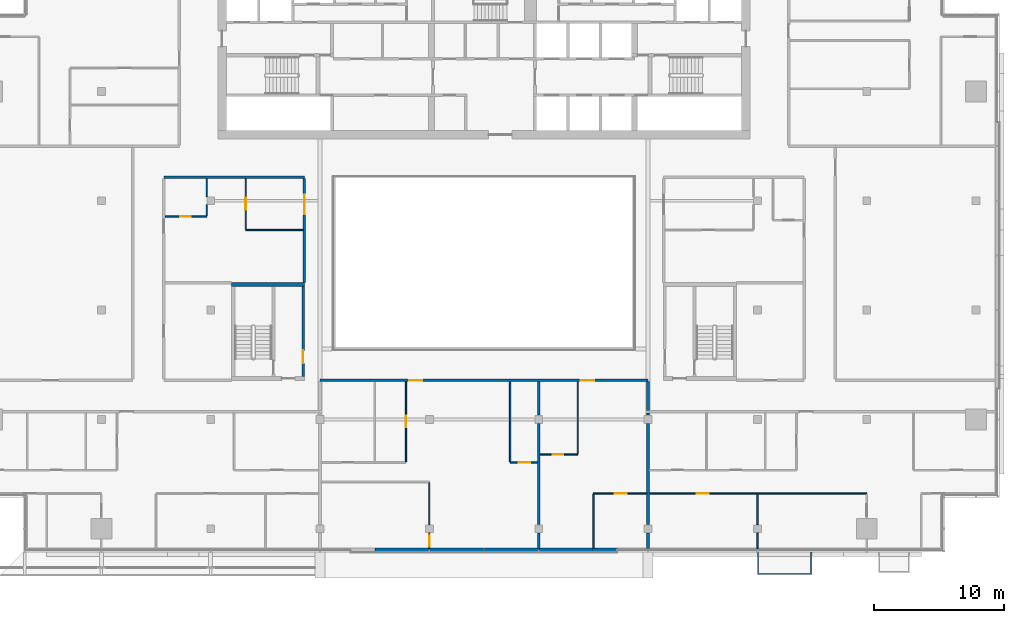
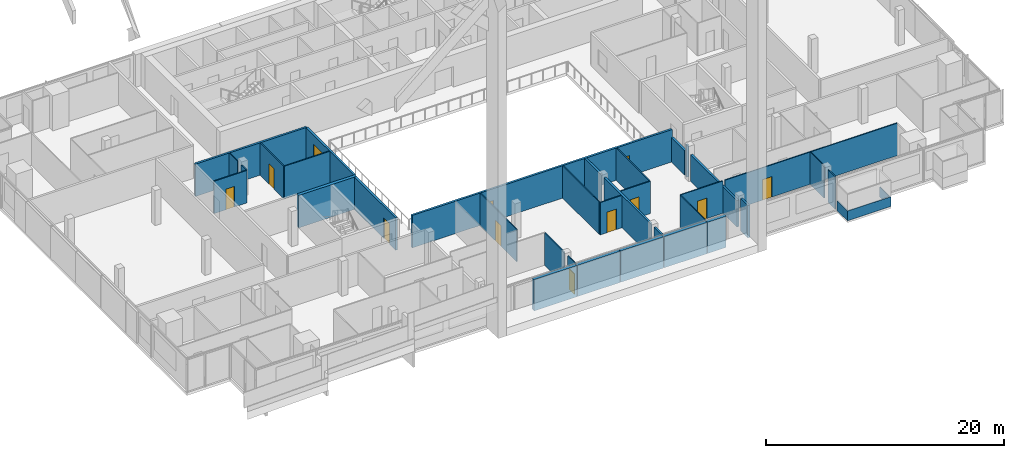
# One storey, part 20 of 31: 35 walls, 11 doors, 1 window, 12 openings.
"""IFC4 building model written with IfcOpenShell, lengths in metres."""

from ifc_helpers import new_model, si_unit, direction, frame, frame_2d, origin, place, context, subcontext, project, spatial, polyline, rectangle, outline, extrude, material, layer, layer_set, type_object, element, fill, save


model = new_model("IFC4")

# Units and contexts
model_context = context("Model", 3, precision=1e-05, world=origin(), true_north=direction((0.0, 1.0)))
body_context = subcontext(model_context, "Body", "Model", "MODEL_VIEW")
ifc_project = project(units=[si_unit("LENGTHUNIT", "METRE"), si_unit("AREAUNIT", "SQUARE_METRE"), si_unit("VOLUMEUNIT", "CUBIC_METRE"), si_unit("PLANEANGLEUNIT", "RADIAN"), si_unit("MASSUNIT", "GRAM", prefix="KILO")], contexts=[model_context])

# Site, building, storey
site_placement = place(None, origin())
site = spatial("IfcSite", under=ifc_project, at=site_placement, CompositionType="ELEMENT")
building_placement = place(site_placement, origin())
building = spatial("IfcBuilding", under=site, at=building_placement, Name="Saffron Gate Tower", CompositionType="ELEMENT")
storey_placement = place(building_placement, frame((0.0, 0.0, 205.5)))
storey = spatial("IfcBuildingStorey", under=building, at=storey_placement, Name="L49", CompositionType="ELEMENT", Elevation=205.5)

# Wall, opening, door
ifc_material_1 = material(Name="Gypsum board partition on steel studs", Category="steel")
ifc_layer_1 = layer(ifc_material_1, 0.199951171875)
ifc_layer_set_1 = layer_set([ifc_layer_1], Name="CW10 Core partition 200")
wall_type_1 = type_object("IfcWallType", Name="CW10 Core partition 200", PredefinedType="PARTITIONING", material=ifc_layer_set_1)
wall_1_placement = place(storey_placement, frame((73.699951171875, 43.5, 0.0), z_axis=(0.0, 0.0, 1.0), x_axis=(0.0, 1.0, 0.0)))
wall_1 = element("IfcWall", 1, at=wall_1_placement, inside=storey, type_object=wall_type_1, Name="Wall CW10-L49-D-4", PredefinedType="PARTITIONING", context=body_context, shape_type="SweptSolid", body=[
    extrude(rectangle(XDim=6.89990234375, YDim=0.199951171875, at=frame_2d((3.449951171875, 0.0))), origin(), (0.0, 0.0, 1.0), 3.320068359375),
])
opening_1_placement = place(wall_1_placement, frame((1.0, 0.0, 0.0)))
opening_1 = element("IfcOpeningElement", 2, at=opening_1_placement, cuts=wall_1, Name="Opening CR-19", PredefinedType="OPENING", context=body_context, shape_type="SweptSolid", body=[
    extrude(rectangle(XDim=1.0, YDim=2.10009765625, at=frame_2d((0.5, 1.050048828125))), frame((0.0, 0.10986328125, 0.0), z_axis=(0.0, -1.0, 0.0), x_axis=(1.0, 0.0, 0.0)), (0.0, 0.0, 1.0), 0.219970703125),
])
ifc_material_2 = material(Name="Steel fire door set", Category="steel")
door_type_1 = type_object("IfcDoorType", Name="CD4 Lobby door 1000x2100 EI 120", OperationType="NOTDEFINED", PredefinedType="DOOR", material=ifc_material_2)
door_1_placement = place(opening_1_placement, origin())
door_1 = element("IfcDoor", 3, at=door_1_placement, inside=storey, type_object=door_type_1, Name="DOOR CR-19", OperationType="SINGLE_SWING_RIGHT", OverallHeight=2.10009765625, OverallWidth=1.0, PredefinedType="DOOR", context=body_context, shape_type="SweptSolid", body=[
    extrude(rectangle(XDim=1.0, YDim=2.10009765625, at=frame_2d((0.5, 1.050048828125))), frame((0.0, 0.02490234375, 0.0), z_axis=(0.0, -1.0, 0.0), x_axis=(1.0, 0.0, 0.0)), (0.0, 0.0, 1.0), 0.050048828125),
])
fill(opening_1, door_1)

# Wall
ifc_material_3 = material(Name="Concrete C60", Category="concrete")
ifc_layer_2 = layer(ifc_material_3, 0.300048828125)
ifc_layer_set_2 = layer_set([ifc_layer_2], Name="CW17 RC core wall 300 C60")
wall_type_2 = type_object("IfcWallType", Name="CW17 RC core wall 300 C60", PredefinedType="SOLIDWALL", material=ifc_layer_set_2)
wall_2_placement = place(storey_placement, frame((68.199951171875, 50.550048828125, 0.0), z_axis=(0.0, 0.0, 1.0), x_axis=(1.0, 0.0, 0.0)))
element("IfcWall", 4, at=wall_2_placement, inside=storey, type_object=wall_type_2, Name="Wall CW17-L49-D-5", PredefinedType="SOLIDWALL", context=body_context, shape_type="SweptSolid", body=[
    extrude(rectangle(XDim=5.60009765625, YDim=0.300048828125, at=frame_2d((2.800048828125, 0.0))), origin(), (0.0, 0.0, 1.0), 3.320068359375),
])

# Wall, opening, door
ifc_material_4 = material(Name="Plasterboard on steel studs", Category="steel")
ifc_layer_3 = layer(ifc_material_4, 0.10009765625)
ifc_layer_set_3 = layer_set([ifc_layer_3], Name="PW1 Partition 100")
wall_type_3 = type_object("IfcWallType", Name="PW1 Partition 100", PredefinedType="PARTITIONING", material=ifc_layer_set_3)
wall_3_placement = place(storey_placement, frame((89.60791015625, 36.89990234375, 0.0), z_axis=(0.0, 0.0, 1.0), x_axis=(1.0, 0.0, 0.0)))
wall_3 = element("IfcWall", 5, at=wall_3_placement, inside=storey, type_object=wall_type_3, Name="Partition D1-10", PredefinedType="PARTITIONING", context=body_context, shape_type="SweptSolid", body=[
    extrude(rectangle(XDim=2.092041015625, YDim=0.10009765625, at=frame_2d((1.0458984375, 0.0))), origin(), (0.0, 0.0, 1.0), 3.320068359375),
])
opening_2_placement = place(wall_3_placement, frame((0.64599609375, 0.0, 0.0)))
opening_2 = element("IfcOpeningElement", 6, at=opening_2_placement, cuts=wall_3, Name="Opening D1-16", PredefinedType="OPENING", context=body_context, shape_type="SweptSolid", body=[
    extrude(rectangle(XDim=0.89990234375, YDim=2.10009765625, at=frame_2d((0.449951171875, 1.050048828125))), frame((0.0, 0.06005859375, 0.0), z_axis=(0.0, -1.0, 0.0), x_axis=(1.0, 0.0, 0.0)), (0.0, 0.0, 1.0), 0.1201171875),
])
ifc_material_5 = material(Name="Timber door set", Category="wood")
door_type_2 = type_object("IfcDoorType", Name="RD1 Room door 900x2100", OperationType="NOTDEFINED", PredefinedType="DOOR", material=ifc_material_5)
door_2_placement = place(opening_2_placement, origin())
door_2 = element("IfcDoor", 7, at=door_2_placement, inside=storey, type_object=door_type_2, Name="Door D1-16", OperationType="SINGLE_SWING_RIGHT", OverallHeight=2.10009765625, OverallWidth=0.89990234375, PredefinedType="DOOR", context=body_context, shape_type="SweptSolid", body=[
    extrude(rectangle(XDim=0.89990234375, YDim=2.10009765625, at=frame_2d((0.449951171875, 1.050048828125))), frame((0.0, 0.02490234375, 0.0), z_axis=(0.0, -1.0, 0.0), x_axis=(1.0, 0.0, 0.0)), (0.0, 0.0, 1.0), 0.050048828125),
])
fill(opening_2, door_2)

wall_4_placement = place(storey_placement, frame((91.89990234375, 37.5, 0.0), z_axis=(0.0, 0.0, 1.0), x_axis=(1.0, 0.0, 0.0)))
wall_4 = element("IfcWall", 8, at=wall_4_placement, inside=storey, type_object=wall_type_3, Name="Partition D1-11", PredefinedType="PARTITIONING", context=body_context, shape_type="SweptSolid", body=[
    extrude(rectangle(XDim=2.900146484375, YDim=0.10009765625, at=frame_2d((1.4501953125, 0.0))), origin(), (0.0, 0.0, 1.0), 3.320068359375),
])
opening_3_placement = place(wall_4_placement, frame((1.0, 0.0, 0.0)))
opening_3 = element("IfcOpeningElement", 9, at=opening_3_placement, cuts=wall_4, Name="Opening D1-35", PredefinedType="OPENING", context=body_context, shape_type="SweptSolid", body=[
    extrude(rectangle(XDim=0.800048828125, YDim=2.10009765625, at=frame_2d((0.39990234375, 1.050048828125))), frame((0.0, 0.06005859375, 0.0), z_axis=(0.0, -1.0, 0.0), x_axis=(1.0, 0.0, 0.0)), (0.0, 0.0, 1.0), 0.1201171875),
])
door_type_3 = type_object("IfcDoorType", Name="RD2 Bathroom door 800x2100", OperationType="NOTDEFINED", PredefinedType="DOOR", material=ifc_material_5)
door_3_placement = place(opening_3_placement, origin())
door_3 = element("IfcDoor", 10, at=door_3_placement, inside=storey, type_object=door_type_3, Name="Door D1-35", OperationType="SINGLE_SWING_LEFT", OverallHeight=2.10009765625, OverallWidth=0.800048828125, PredefinedType="DOOR", context=body_context, shape_type="SweptSolid", body=[
    extrude(rectangle(XDim=0.800048828125, YDim=2.10009765625, at=frame_2d((0.39990234375, 1.050048828125))), frame((0.0, 0.02490234375, 0.0), z_axis=(0.0, -1.0, 0.0), x_axis=(1.0, 0.0, 0.0)), (0.0, 0.0, 1.0), 0.050048828125),
])
fill(opening_3, door_3)

# Wall
wall_5_placement = place(storey_placement, frame((69.300048828125, 54.75, 0.0), z_axis=(0.0, 0.0, 1.0), x_axis=(1.0, 0.0, 0.0)))
element("IfcWall", 11, at=wall_5_placement, inside=storey, type_object=wall_type_3, Name="Partition D1-23", PredefinedType="PARTITIONING", context=body_context, shape_type="SweptSolid", body=[
    extrude(rectangle(XDim=4.39990234375, YDim=0.10009765625, at=frame_2d((2.199951171875, 0.0))), origin(), (0.0, 0.0, 1.0), 3.320068359375),
])

# Wall, opening, door
wall_6_placement = place(storey_placement, frame((63.10009765625, 55.800048828125, 0.0), z_axis=(0.0, 0.0, 1.0), x_axis=(1.0, 0.0, 0.0)))
wall_6 = element("IfcWall", 12, at=wall_6_placement, inside=storey, type_object=wall_type_3, Name="Partition D1-26", PredefinedType="PARTITIONING", context=body_context, shape_type="SweptSolid", body=[
    extrude(rectangle(XDim=3.199951171875, YDim=0.10009765625, at=frame_2d((1.60009765625, 0.0))), origin(), (0.0, 0.0, 1.0), 3.320068359375),
])
opening_4_placement = place(wall_6_placement, frame((1.14990234375, 0.0, 0.0)))
opening_4 = element("IfcOpeningElement", 13, at=opening_4_placement, cuts=wall_6, Name="Opening D1-40", PredefinedType="OPENING", context=body_context, shape_type="SweptSolid", body=[
    extrude(rectangle(XDim=0.800048828125, YDim=2.10009765625, at=frame_2d((0.39990234375, 1.050048828125))), frame((0.0, 0.06005859375, 0.0), z_axis=(0.0, -1.0, 0.0), x_axis=(1.0, 0.0, 0.0)), (0.0, 0.0, 1.0), 0.1201171875),
])
door_4_placement = place(opening_4_placement, origin())
door_4 = element("IfcDoor", 14, at=door_4_placement, inside=storey, type_object=door_type_3, Name="Door D1-40", OperationType="SINGLE_SWING_LEFT", OverallHeight=2.10009765625, OverallWidth=0.800048828125, PredefinedType="DOOR", context=body_context, shape_type="SweptSolid", body=[
    extrude(rectangle(XDim=0.800048828125, YDim=2.10009765625, at=frame_2d((0.39990234375, 1.050048828125))), frame((0.0, 0.02490234375, 0.0), z_axis=(0.0, -1.0, 0.0), x_axis=(1.0, 0.0, 0.0)), (0.0, 0.0, 1.0), 0.050048828125),
])
fill(opening_4, door_4)

# Walls
wall_7_placement = place(storey_placement, frame((66.300048828125, 56.679931640625, 0.0), z_axis=(0.0, 0.0, 1.0), x_axis=(0.0, -1.0, 0.0)))
element("IfcWall", 15, at=wall_7_placement, inside=storey, type_object=wall_type_3, Name="Partition D1-58", PredefinedType="PARTITIONING", context=body_context, shape_type="SweptSolid", body=[
    extrude(rectangle(XDim=0.829833984375, YDim=0.10009765625, at=frame_2d((0.4150390625, 0.0))), origin(), (0.0, 0.0, 1.0), 3.320068359375),
])
wall_8_placement = place(storey_placement, frame((66.300048828125, 58.699951171875, 0.0), z_axis=(0.0, 0.0, 1.0), x_axis=(0.0, -1.0, 0.0)))
element("IfcWall", 16, at=wall_8_placement, inside=storey, type_object=wall_type_3, Name="Partition D1-59", PredefinedType="PARTITIONING", context=body_context, shape_type="SweptSolid", body=[
    extrude(rectangle(XDim=1.3798828125, YDim=0.10009765625, at=frame_2d((0.68994140625, 0.0))), origin(), (0.0, 0.0, 1.0), 3.320068359375),
])

# Wall, opening, door
wall_9_placement = place(storey_placement, frame((69.300048828125, 58.699951171875, 0.0), z_axis=(0.0, 0.0, 1.0), x_axis=(0.0, -1.0, 0.0)))
wall_9 = element("IfcWall", 17, at=wall_9_placement, inside=storey, type_object=wall_type_3, Name="Partition D1-61", PredefinedType="PARTITIONING", context=body_context, shape_type="SweptSolid", body=[
    extrude(rectangle(XDim=3.89990234375, YDim=0.10009765625, at=frame_2d((1.949951171875, 0.0))), origin(), (0.0, 0.0, 1.0), 3.320068359375),
])
opening_5_placement = place(wall_9_placement, frame((1.47509765625, 0.0, 0.0)))
opening_5 = element("IfcOpeningElement", 18, at=opening_5_placement, cuts=wall_9, Name="Opening D1-30", PredefinedType="OPENING", context=body_context, shape_type="SweptSolid", body=[
    extrude(rectangle(XDim=0.89990234375, YDim=2.10009765625, at=frame_2d((0.449951171875, 1.050048828125))), frame((0.0, 0.06005859375, 0.0), z_axis=(0.0, -1.0, 0.0), x_axis=(1.0, 0.0, 0.0)), (0.0, 0.0, 1.0), 0.1201171875),
])
door_5_placement = place(opening_5_placement, origin())
door_5 = element("IfcDoor", 19, at=door_5_placement, inside=storey, type_object=door_type_2, Name="Door D1-30", OperationType="SINGLE_SWING_LEFT", OverallHeight=2.10009765625, OverallWidth=0.89990234375, PredefinedType="DOOR", context=body_context, shape_type="SweptSolid", body=[
    extrude(rectangle(XDim=0.89990234375, YDim=2.10009765625, at=frame_2d((0.449951171875, 1.050048828125))), frame((0.0, 0.02490234375, 0.0), z_axis=(0.0, -1.0, 0.0), x_axis=(1.0, 0.0, 0.0)), (0.0, 0.0, 1.0), 0.050048828125),
])
fill(opening_5, door_5)

wall_10_placement = place(storey_placement, frame((81.60009765625, 36.949951171875, 0.0), z_axis=(0.0, 0.0, 1.0), x_axis=(0.0, 1.0, 0.0)))
wall_10 = element("IfcWall", 20, at=wall_10_placement, inside=storey, type_object=wall_type_3, Name="Partition D1-69", PredefinedType="PARTITIONING", context=body_context, shape_type="SweptSolid", body=[
    extrude(rectangle(XDim=6.150146484375, YDim=0.10009765625, at=frame_2d((3.0751953125, 0.0))), origin(), (0.0, 0.0, 1.0), 3.320068359375),
])
opening_6_placement = place(wall_10_placement, frame((2.64990234375, 0.0, 0.0)))
opening_6 = element("IfcOpeningElement", 21, at=opening_6_placement, cuts=wall_10, Name="Opening D1-17", PredefinedType="OPENING", context=body_context, shape_type="SweptSolid", body=[
    extrude(rectangle(XDim=0.89990234375, YDim=2.10009765625, at=frame_2d((0.449951171875, 1.050048828125))), frame((0.0, 0.06005859375, 0.0), z_axis=(0.0, -1.0, 0.0), x_axis=(1.0, 0.0, 0.0)), (0.0, 0.0, 1.0), 0.1201171875),
])
door_6_placement = place(opening_6_placement, origin())
door_6 = element("IfcDoor", 22, at=door_6_placement, inside=storey, type_object=door_type_2, Name="Door D1-17", OperationType="SINGLE_SWING_RIGHT", OverallHeight=2.10009765625, OverallWidth=0.89990234375, PredefinedType="DOOR", context=body_context, shape_type="SweptSolid", body=[
    extrude(rectangle(XDim=0.89990234375, YDim=2.10009765625, at=frame_2d((0.449951171875, 1.050048828125))), frame((0.0, 0.02490234375, 0.0), z_axis=(0.0, -1.0, 0.0), x_axis=(1.0, 0.0, 0.0)), (0.0, 0.0, 1.0), 0.050048828125),
])
fill(opening_6, door_6)

wall_11_placement = place(storey_placement, frame((83.39990234375, 30.280029296875, 0.0), z_axis=(0.0, 0.0, 1.0), x_axis=(0.0, 1.0, 0.0)))
wall_11 = element("IfcWall", 23, at=wall_11_placement, inside=storey, type_object=wall_type_3, Name="Partition D1-70", PredefinedType="PARTITIONING", context=body_context, shape_type="SweptSolid", body=[
    extrude(rectangle(XDim=1.199951171875, YDim=0.10009765625, at=frame_2d((0.60009765625, 0.0))), origin(), (0.0, 0.0, 1.0), 3.320068359375),
])
opening_7_placement = place(wall_11_placement, frame((0.14990234375, 0.0, 0.0)))
opening_7 = element("IfcOpeningElement", 24, at=opening_7_placement, cuts=wall_11, Name="Opening D1-15", PredefinedType="OPENING", context=body_context, shape_type="SweptSolid", body=[
    extrude(rectangle(XDim=0.89990234375, YDim=2.10009765625, at=frame_2d((0.449951171875, 1.050048828125))), frame((0.0, 0.06005859375, 0.0), z_axis=(0.0, -1.0, 0.0), x_axis=(1.0, 0.0, 0.0)), (0.0, 0.0, 1.0), 0.1201171875),
])
door_7_placement = place(opening_7_placement, origin())
door_7 = element("IfcDoor", 25, at=door_7_placement, inside=storey, type_object=door_type_2, Name="Door D1-15", OperationType="SINGLE_SWING_LEFT", OverallHeight=2.10009765625, OverallWidth=0.89990234375, PredefinedType="DOOR", context=body_context, shape_type="SweptSolid", body=[
    extrude(rectangle(XDim=0.89990234375, YDim=2.10009765625, at=frame_2d((0.449951171875, 1.050048828125))), frame((0.0, 0.02490234375, 0.0), z_axis=(0.0, -1.0, 0.0), x_axis=(1.0, 0.0, 0.0)), (0.0, 0.0, 1.0), 0.050048828125),
])
fill(opening_7, door_7)

# Walls
wall_12_placement = place(storey_placement, frame((83.39990234375, 35.35009765625, 0.0), z_axis=(0.0, 0.0, 1.0), x_axis=(0.0, -1.0, 0.0)))
element("IfcWall", 26, at=wall_12_placement, inside=storey, type_object=wall_type_3, Name="Partition D1-71", PredefinedType="PARTITIONING", context=body_context, shape_type="SweptSolid", body=[
    extrude(rectangle(XDim=3.22998046875, YDim=0.10009765625, at=frame_2d((1.614990234375, 0.0))), origin(), (0.0, 0.0, 1.0), 3.320068359375),
])
wall_13_placement = place(storey_placement, frame((89.60791015625, 43.10009765625, 0.0), z_axis=(0.0, 0.0, 1.0), x_axis=(0.0, -1.0, 0.0)))
element("IfcWall", 27, at=wall_13_placement, inside=storey, type_object=wall_type_3, Name="Partition D1-72", PredefinedType="PARTITIONING", context=body_context, shape_type="SweptSolid", body=[
    extrude(rectangle(XDim=6.150146484375, YDim=0.10009765625, at=frame_2d((3.0751953125, 0.0))), origin(), (0.0, 0.0, 1.0), 3.320068359375),
])
wall_14_placement = place(storey_placement, frame((94.800048828125, 43.10009765625, 0.0), z_axis=(0.0, 0.0, 1.0), x_axis=(0.0, -1.0, 0.0)))
element("IfcWall", 28, at=wall_14_placement, inside=storey, type_object=wall_type_3, Name="Partition D1-76", PredefinedType="PARTITIONING", context=body_context, shape_type="SweptSolid", body=[
    extrude(rectangle(XDim=5.550048828125, YDim=0.10009765625, at=frame_2d((2.77490234375, 0.0))), origin(), (0.0, 0.0, 1.0), 3.320068359375),
])
wall_15_placement = place(storey_placement, frame((96.0, 34.449951171875, 0.0), z_axis=(0.0, 0.0, 1.0), x_axis=(0.0, -1.0, 0.0)))
element("IfcWall", 29, at=wall_15_placement, inside=storey, type_object=wall_type_3, Name="Partition D1-77", PredefinedType="PARTITIONING", context=body_context, shape_type="SweptSolid", body=[
    extrude(rectangle(XDim=4.169921875, YDim=0.10009765625, at=frame_2d((2.0849609375, 0.0))), origin(), (0.0, 0.0, 1.0), 3.320068359375),
])
wall_16_placement = place(storey_placement, frame((108.60009765625, 31.47998046875, 0.0), z_axis=(0.0, 0.0, 1.0), x_axis=(0.0, -1.0, 0.0)))
element("IfcWall", 30, at=wall_16_placement, inside=storey, type_object=wall_type_3, Name="Partition D1-86", PredefinedType="PARTITIONING", context=body_context, shape_type="SweptSolid", body=[
    extrude(rectangle(XDim=1.199951171875, YDim=0.10009765625, at=frame_2d((0.60009765625, 0.0))), origin(), (0.0, 0.0, 1.0), 3.320068359375),
])
wall_17_placement = place(storey_placement, frame((108.60009765625, 34.449951171875, 0.0), z_axis=(0.0, 0.0, 1.0), x_axis=(0.0, -1.0, 0.0)))
element("IfcWall", 31, at=wall_17_placement, inside=storey, type_object=wall_type_3, Name="Partition D1-87", PredefinedType="PARTITIONING", context=body_context, shape_type="SweptSolid", body=[
    extrude(rectangle(XDim=2.329833984375, YDim=0.10009765625, at=frame_2d((1.1650390625, 0.0))), origin(), (0.0, 0.0, 1.0), 3.320068359375),
])

# Wall, opening, door
wall_18_placement = place(storey_placement, frame((100.10009765625, 34.5, 0.0), z_axis=(0.0, 0.0, 1.0), x_axis=(-1.0, 0.0, 0.0)))
wall_18 = element("IfcWall", 32, at=wall_18_placement, inside=storey, type_object=wall_type_3, Name="Partition D1-101", PredefinedType="PARTITIONING", context=body_context, shape_type="SweptSolid", body=[
    extrude(rectangle(XDim=4.10009765625, YDim=0.10009765625, at=frame_2d((2.050048828125, 0.0))), origin(), (0.0, 0.0, 1.0), 3.320068359375),
])
opening_8_placement = place(wall_18_placement, frame((1.550048828125, 0.0, 0.0)))
opening_8 = element("IfcOpeningElement", 33, at=opening_8_placement, cuts=wall_18, Name="Opening D1-18", PredefinedType="OPENING", context=body_context, shape_type="SweptSolid", body=[
    extrude(rectangle(XDim=0.89990234375, YDim=2.10009765625, at=frame_2d((0.449951171875, 1.050048828125))), frame((0.0, 0.06005859375, 0.0), z_axis=(0.0, -1.0, 0.0), x_axis=(1.0, 0.0, 0.0)), (0.0, 0.0, 1.0), 0.1201171875),
])
door_8_placement = place(opening_8_placement, origin())
door_8 = element("IfcDoor", 34, at=door_8_placement, inside=storey, type_object=door_type_2, Name="Door D1-18", OperationType="SINGLE_SWING_LEFT", OverallHeight=2.10009765625, OverallWidth=0.89990234375, PredefinedType="DOOR", context=body_context, shape_type="SweptSolid", body=[
    extrude(rectangle(XDim=0.89990234375, YDim=2.10009765625, at=frame_2d((0.449951171875, 1.050048828125))), frame((0.0, 0.02490234375, 0.0), z_axis=(0.0, -1.0, 0.0), x_axis=(1.0, 0.0, 0.0)), (0.0, 0.0, 1.0), 0.050048828125),
])
fill(opening_8, door_8)

wall_19_placement = place(storey_placement, frame((117.0, 34.5, 0.0), z_axis=(0.0, 0.0, 1.0), x_axis=(-1.0, 0.0, 0.0)))
wall_19 = element("IfcWall", 35, at=wall_19_placement, inside=storey, type_object=wall_type_3, Name="Partition D1-102", PredefinedType="PARTITIONING", context=body_context, shape_type="SweptSolid", body=[
    extrude(rectangle(XDim=16.699951171875, YDim=0.10009765625, at=frame_2d((8.35009765625, 0.0))), origin(), (0.0, 0.0, 1.0), 3.320068359375),
])
opening_9_placement = place(wall_19_placement, frame((12.14990234375, 0.0, 0.0)))
opening_9 = element("IfcOpeningElement", 36, at=opening_9_placement, cuts=wall_19, Name="Opening D1-19", PredefinedType="OPENING", context=body_context, shape_type="SweptSolid", body=[
    extrude(rectangle(XDim=0.89990234375, YDim=2.10009765625, at=frame_2d((0.449951171875, 1.050048828125))), frame((0.0, 0.06005859375, 0.0), z_axis=(0.0, -1.0, 0.0), x_axis=(1.0, 0.0, 0.0)), (0.0, 0.0, 1.0), 0.1201171875),
])
door_9_placement = place(opening_9_placement, origin())
door_9 = element("IfcDoor", 37, at=door_9_placement, inside=storey, type_object=door_type_2, Name="Door D1-19", OperationType="SINGLE_SWING_RIGHT", OverallHeight=2.10009765625, OverallWidth=0.89990234375, PredefinedType="DOOR", context=body_context, shape_type="SweptSolid", body=[
    extrude(rectangle(XDim=0.89990234375, YDim=2.10009765625, at=frame_2d((0.449951171875, 1.050048828125))), frame((0.0, 0.02490234375, 0.0), z_axis=(0.0, -1.0, 0.0), x_axis=(1.0, 0.0, 0.0)), (0.0, 0.0, 1.0), 0.050048828125),
])
fill(opening_9, door_9)

# Walls
ifc_material_6 = material(Name="Clay brick masonry, rendered", Category="masonry")
ifc_layer_4 = layer(ifc_material_6, 0.199951171875)
ifc_layer_set_4 = layer_set([ifc_layer_4], Name="PW2 Demising wall 200")
wall_type_4 = type_object("IfcWallType", Name="PW2 Demising wall 200", PredefinedType="PARTITIONING", material=ifc_layer_set_4)
wall_20_placement = place(storey_placement, frame((91.800048828125, 31.47998046875, 0.0), z_axis=(0.0, 0.0, 1.0), x_axis=(0.0, -1.0, 0.0)))
element("IfcWall", 38, at=wall_20_placement, inside=storey, type_object=wall_type_4, Name="Wall D1-73", PredefinedType="PARTITIONING", context=body_context, shape_type="SweptSolid", body=[
    extrude(rectangle(XDim=1.199951171875, YDim=0.199951171875, at=frame_2d((0.60009765625, 0.0))), origin(), (0.0, 0.0, 1.0), 3.320068359375),
])
wall_21_placement = place(storey_placement, frame((91.800048828125, 39.8798828125, 0.0), z_axis=(0.0, 0.0, 1.0), x_axis=(0.0, -1.0, 0.0)))
element("IfcWall", 39, at=wall_21_placement, inside=storey, type_object=wall_type_4, Name="Wall D1-74", PredefinedType="PARTITIONING", context=body_context, shape_type="SweptSolid", body=[
    extrude(rectangle(XDim=7.759765625, YDim=0.199951171875, at=frame_2d((3.8798828125, 0.0))), origin(), (0.0, 0.0, 1.0), 3.320068359375),
])
wall_22_placement = place(storey_placement, frame((91.800048828125, 43.10009765625, 0.0), z_axis=(0.0, 0.0, 1.0), x_axis=(0.0, -1.0, 0.0)))
element("IfcWall", 40, at=wall_22_placement, inside=storey, type_object=wall_type_4, Name="Wall D1-75", PredefinedType="PARTITIONING", context=body_context, shape_type="SweptSolid", body=[
    extrude(rectangle(XDim=2.580078125, YDim=0.199951171875, at=frame_2d((1.2900390625, 0.0))), origin(), (0.0, 0.0, 1.0), 3.320068359375),
])
wall_23_placement = place(storey_placement, frame((100.199951171875, 31.47998046875, 0.0), z_axis=(0.0, 0.0, 1.0), x_axis=(0.0, -1.0, 0.0)))
element("IfcWall", 41, at=wall_23_placement, inside=storey, type_object=wall_type_4, Name="Wall D1-79", PredefinedType="PARTITIONING", context=body_context, shape_type="SweptSolid", body=[
    extrude(rectangle(XDim=1.199951171875, YDim=0.199951171875, at=frame_2d((0.60009765625, 0.0))), origin(), (0.0, 0.0, 1.0), 3.320068359375),
])
wall_24_placement = place(storey_placement, frame((100.199951171875, 39.8798828125, 0.0), z_axis=(0.0, 0.0, 1.0), x_axis=(0.0, -1.0, 0.0)))
element("IfcWall", 42, at=wall_24_placement, inside=storey, type_object=wall_type_4, Name="Wall D1-80", PredefinedType="PARTITIONING", context=body_context, shape_type="SweptSolid", body=[
    extrude(rectangle(XDim=7.759765625, YDim=0.199951171875, at=frame_2d((3.8798828125, 0.0))), origin(), (0.0, 0.0, 1.0), 2.719970703125),
])
wall_25_placement = place(storey_placement, frame((100.199951171875, 40.699951171875, 0.0), z_axis=(0.0, 0.0, 1.0), x_axis=(0.0, -1.0, 0.0)))
element("IfcWall", 43, at=wall_25_placement, inside=storey, type_object=wall_type_4, Name="Wall D1-81", PredefinedType="PARTITIONING", context=body_context, shape_type="SweptSolid", body=[
    extrude(rectangle(XDim=0.179931640625, YDim=0.199951171875, at=frame_2d((0.08984375, 0.0))), origin(), (0.0, 0.0, 1.0), 3.320068359375),
])

# Wall, openings, doors
ifc_layer_5 = layer(ifc_material_6, 0.199951171875)
ifc_layer_set_5 = layer_set([ifc_layer_5], Name="PW3 Corridor wall 200")
wall_type_5 = type_object("IfcWallType", Name="PW3 Corridor wall 200", PredefinedType="PARTITIONING", material=ifc_layer_set_5)
wall_26_placement = place(storey_placement, frame((100.199951171875, 43.199951171875, 0.0), z_axis=(0.0, 0.0, 1.0), x_axis=(-1.0, 0.0, 0.0)))
wall_26 = element("IfcWall", 44, at=wall_26_placement, inside=storey, type_object=wall_type_5, Name="Wall D1-18", PredefinedType="PARTITIONING", context=body_context, shape_type="SweptSolid", body=[
    extrude(rectangle(XDim=25.199951171875, YDim=0.199951171875, at=frame_2d((12.60009765625, 0.0))), origin(), (0.0, 0.0, 1.0), 3.320068359375),
])
opening_10_placement = place(wall_26_placement, frame((4.14990234375, 0.0, 0.0)))
opening_10 = element("IfcOpeningElement", 45, at=opening_10_placement, cuts=wall_26, Name="Opening D1-3", PredefinedType="OPENING", context=body_context, shape_type="SweptSolid", body=[
    extrude(rectangle(XDim=1.0, YDim=2.10009765625, at=frame_2d((0.5, 1.050048828125))), frame((0.0, 0.10986328125, 0.0), z_axis=(0.0, -1.0, 0.0), x_axis=(1.0, 0.0, 0.0)), (0.0, 0.0, 1.0), 0.219970703125),
])
opening_11_placement = place(wall_26_placement, frame((17.35009765625, 0.0, 0.0)))
opening_11 = element("IfcOpeningElement", 46, at=opening_11_placement, cuts=wall_26, Name="Opening D1-2", PredefinedType="OPENING", context=body_context, shape_type="SweptSolid", body=[
    extrude(rectangle(XDim=1.0, YDim=2.10009765625, at=frame_2d((0.5, 1.050048828125))), frame((0.0, 0.10986328125, 0.0), z_axis=(0.0, -1.0, 0.0), x_axis=(1.0, 0.0, 0.0)), (0.0, 0.0, 1.0), 0.219970703125),
])
ifc_material_7 = material(Name="Timber fire door set", Category="wood")
door_type_4 = type_object("IfcDoorType", Name="FD1 Flat entry door 1000x2100", OperationType="NOTDEFINED", PredefinedType="DOOR", material=ifc_material_7)
door_10_placement = place(opening_10_placement, origin())
door_10 = element("IfcDoor", 47, at=door_10_placement, inside=storey, type_object=door_type_4, Name="Door D1-3", OperationType="SINGLE_SWING_RIGHT", OverallHeight=2.10009765625, OverallWidth=1.0, PredefinedType="DOOR", context=body_context, shape_type="SweptSolid", body=[
    extrude(rectangle(XDim=1.0, YDim=2.10009765625, at=frame_2d((0.5, 1.050048828125))), frame((0.0, 0.02490234375, 0.0), z_axis=(0.0, -1.0, 0.0), x_axis=(1.0, 0.0, 0.0)), (0.0, 0.0, 1.0), 0.050048828125),
])
fill(opening_10, door_10)
door_11_placement = place(opening_11_placement, origin())
door_11 = element("IfcDoor", 48, at=door_11_placement, inside=storey, type_object=door_type_4, Name="Door D1-2", OperationType="SINGLE_SWING_RIGHT", OverallHeight=2.10009765625, OverallWidth=1.0, PredefinedType="DOOR", context=body_context, shape_type="SweptSolid", body=[
    extrude(rectangle(XDim=1.0, YDim=2.10009765625, at=frame_2d((0.5, 1.050048828125))), frame((0.0, 0.02490234375, 0.0), z_axis=(0.0, -1.0, 0.0), x_axis=(1.0, 0.0, 0.0)), (0.0, 0.0, 1.0), 0.050048828125),
])
fill(opening_11, door_11)

# Wall
wall_27_placement = place(storey_placement, frame((63.0, 58.800048828125, 0.0), z_axis=(0.0, 0.0, 1.0), x_axis=(1.0, 0.0, 0.0)))
element("IfcWall", 49, at=wall_27_placement, inside=storey, type_object=wall_type_5, Name="Wall D1-27", PredefinedType="PARTITIONING", context=body_context, shape_type="SweptSolid", body=[
    extrude(rectangle(XDim=10.800048828125, YDim=0.199951171875, at=frame_2d((5.39990234375, 0.0))), origin(), (0.0, 0.0, 1.0), 3.320068359375),
])

# Wall, opening, window
wall_28_placement = place(storey_placement, frame((73.800048828125, 58.699951171875, 0.0), z_axis=(0.0, 0.0, 1.0), x_axis=(0.0, -1.0, 0.0)))
wall_28 = element("IfcWall", 50, at=wall_28_placement, inside=storey, type_object=wall_type_5, Name="Wall D1-63", PredefinedType="PARTITIONING", context=body_context, shape_type="SweptSolid", body=[
    extrude(rectangle(XDim=8.0, YDim=0.199951171875, at=frame_2d((4.0, 0.0))), origin(), (0.0, 0.0, 1.0), 3.320068359375),
])
opening_12_placement = place(wall_28_placement, frame((1.22509765625, 0.0, 0.89990234375)))
opening_12 = element("IfcOpeningElement", 51, at=opening_12_placement, cuts=wall_28, Name="Opening GW1", PredefinedType="OPENING", context=body_context, shape_type="SweptSolid", body=[
    extrude(rectangle(XDim=1.5, YDim=1.5, at=frame_2d((0.75, 0.75))), frame((0.0, 0.10986328125, 0.0), z_axis=(0.0, -1.0, 0.0), x_axis=(1.0, 0.0, 0.0)), (0.0, 0.0, 1.0), 0.219970703125),
])
ifc_material_8 = material(Name="Fire-resisting laminated glass in steel frame", Category="steel")
ifc_layer_6 = layer(ifc_material_8, 0.06005859375)
ifc_layer_set_6 = layer_set([ifc_layer_6], Name="GW1 Gallery window 1500x1500")
window_type = type_object("IfcWindowType", Name="GW1 Gallery window 1500x1500", PartitioningType="SINGLE_PANEL", PredefinedType="WINDOW", material=ifc_layer_set_6)
window_placement = place(opening_12_placement, origin())
window = element("IfcWindow", 52, at=window_placement, inside=storey, type_object=window_type, Name="GW1 window D1-J-B1", OverallHeight=1.5, OverallWidth=1.5, PartitioningType="SINGLE_PANEL", PredefinedType="WINDOW", context=body_context, shape_type="SweptSolid", body=[
    extrude(rectangle(XDim=1.5, YDim=1.5, at=frame_2d((0.75, 0.75))), frame((0.0, 0.030029296875, 0.0), z_axis=(0.0, -1.0, 0.0), x_axis=(1.0, 0.0, 0.0)), (0.0, 0.0, 1.0), 0.06005859375),
])
fill(opening_12, window)

# Walls
wall_29_placement = place(storey_placement, frame((100.199951171875, 43.10009765625, 0.0), z_axis=(0.0, 0.0, 1.0), x_axis=(0.0, -1.0, 0.0)))
element("IfcWall", 53, at=wall_29_placement, inside=storey, type_object=wall_type_5, Name="Wall D1-78", PredefinedType="PARTITIONING", context=body_context, shape_type="SweptSolid", body=[
    extrude(rectangle(XDim=2.2001953125, YDim=0.199951171875, at=frame_2d((1.10009765625, 0.0))), origin(), (0.0, 0.0, 1.0), 2.530029296875),
])
ifc_material_9 = material(Name="Rendered insulated panel, white")
ifc_layer_7 = layer(ifc_material_9, 0.10009765625)
ifc_layer_set_7 = layer_set([ifc_layer_7], Name="WB3 box parapet white")
wall_type_6 = type_object("IfcWallType", Name="WB3 box parapet white", PredefinedType="SOLIDWALL", material=ifc_layer_set_7)
wall_30_placement = place(storey_placement, origin())
element("IfcWall", 54, at=wall_30_placement, inside=storey, type_object=wall_type_6, Name="WINDOW BOX parapet", PredefinedType="SOLIDWALL", context=body_context, shape_type="SweptSolid", body=[
    extrude(outline(polyline([(108.60009765625, 30.0), (108.699951171875, 30.0), (108.699951171875, 28.366943359375), (112.699951171875, 28.366943359375), (112.699951171875, 30.0), (112.800048828125, 30.0), (112.800048828125, 28.26708984375), (108.60009765625, 28.26708984375), (108.60009765625, 30.0)])), origin(), (0.0, 0.0, 1.0), 1.0),
])
ifc_material_10 = material(Name="Reinforced concrete C40/50 with mineral wool insulation", Category="concrete")
ifc_layer_8 = layer(ifc_material_10, 0.30810546875)
ifc_layer_set_8 = layer_set([ifc_layer_8], Name="WBAY3 arch bay insulated wall")
wall_type_7 = type_object("IfcWallType", Name="WBAY3 arch bay insulated wall", PredefinedType="SOLIDWALL", material=ifc_layer_set_8)
for number, where, z_axis, x_axis, name in (
    (55, (83.3701171875, 30.154052734375, 0.0), (0.0, 0.0, 1.0), (-1.0, 0.0, 0.0), "ARCH BAY wall"),
    (56, (87.570068359375, 30.154052734375, 0.0), (0.0, 0.0, 1.0), (-1.0, 0.0, 0.0), "ARCH BAY wall"),
    (57, (91.77001953125, 30.154052734375, 0.0), (0.0, 0.0, 1.0), (-1.0, 0.0, 0.0), "ARCH BAY wall"),
):
    element("IfcWall", number, at=place(storey_placement, frame(where, z_axis=z_axis, x_axis=x_axis)), inside=storey, type_object=wall_type_7, Name=name, PredefinedType="SOLIDWALL", context=body_context, shape_type="SweptSolid", body=[
        extrude(rectangle(XDim=4.14013671875, YDim=0.30810546875, at=frame_2d((2.070068359375, 0.0))), origin(), (0.0, 0.0, 1.0), 3.199951171875),
    ])
wall_31_placement = place(storey_placement, frame((95.969970703125, 30.154052734375, 0.0), z_axis=(0.0, 0.0, 1.0), x_axis=(-1.0, 0.0, 0.0)))
element("IfcWall", 58, at=wall_31_placement, inside=storey, type_object=wall_type_7, Name="ARCH BAY wall", PredefinedType="SOLIDWALL", context=body_context, shape_type="SweptSolid", body=[
    extrude(rectangle(XDim=4.139892578125, YDim=0.30810546875, at=frame_2d((2.06982421875, 0.0))), origin(), (0.0, 0.0, 1.0), 3.199951171875),
])
wall_32_placement = place(storey_placement, frame((97.84912109375, 30.154052734375, 0.0), z_axis=(0.0, 0.0, 1.0), x_axis=(-1.0, 0.0, 0.0)))
element("IfcWall", 59, at=wall_32_placement, inside=storey, type_object=wall_type_7, Name="ARCH BAY wall", PredefinedType="SOLIDWALL", context=body_context, shape_type="SweptSolid", body=[
    extrude(rectangle(XDim=1.819091796875, YDim=0.30810546875, at=frame_2d((0.90966796875, 0.0))), origin(), (0.0, 0.0, 1.0), 3.199951171875),
])

save(model, "model.ifc")
